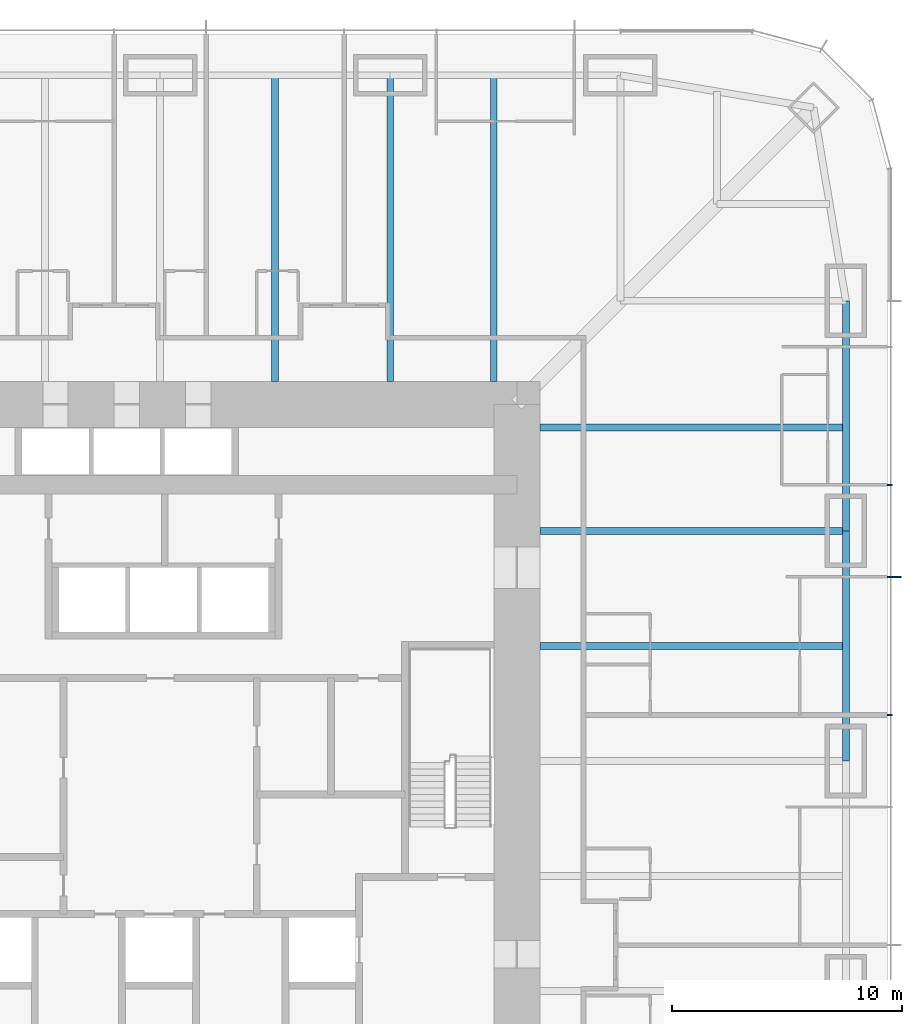
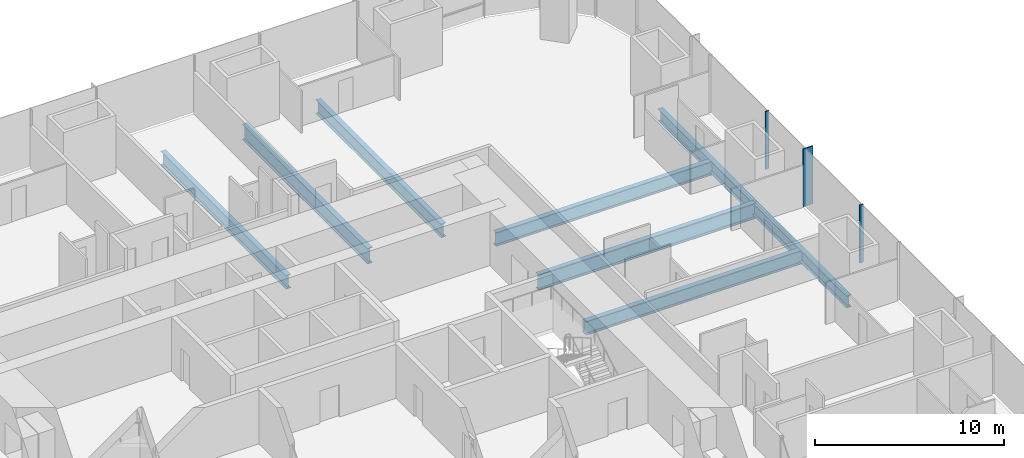
# One storey, part 8 of 17: 8 beams, 3 members, 1 element without a shape of its own.
"""IFC4 building model written with IfcOpenShell, lengths in metres."""

from ifc_helpers import new_model, si_unit, direction, frame, origin, origin_2d, place, context, subcontext, project, spatial, rectangle, i_section, extrude, material, material_profile, profile_set, type_object, element, aggregate, save


model = new_model("IFC4")

# Units and contexts
model_context = context("Model", 3, precision=1e-05, world=origin(), true_north=direction((0.0, 1.0)))
body_context = subcontext(model_context, "Body", "Model", "MODEL_VIEW")
ifc_project = project(units=[si_unit("LENGTHUNIT", "METRE"), si_unit("AREAUNIT", "SQUARE_METRE"), si_unit("VOLUMEUNIT", "CUBIC_METRE"), si_unit("PLANEANGLEUNIT", "RADIAN"), si_unit("MASSUNIT", "GRAM", prefix="KILO")], contexts=[model_context])

# Site, building, storey
site_placement = place(None, origin())
site = spatial("IfcSite", under=ifc_project, at=site_placement, CompositionType="ELEMENT")
building_placement = place(site_placement, origin())
building = spatial("IfcBuilding", under=site, at=building_placement, Name="Khuree Lantern Residences", CompositionType="ELEMENT")
storey_placement = place(building_placement, frame((0.0, 0.0, 47.25)))
storey = spatial("IfcBuildingStorey", under=building, at=storey_placement, Name="L11", CompositionType="ELEMENT", Elevation=47.25)

# Beams
ifc_material_1 = material(Name="Steel S355", Category="steel")
ifc_material_profile_1 = material_profile(ifc_material_1, i_section(OverallWidth=0.300048828125, OverallDepth=0.889892578125, WebThickness=0.01611328125, FlangeThickness=0.030029296875, FilletRadius=0.030029296875, at=origin_2d()), Name="HE 900 A")
ifc_profile_set_1 = profile_set([ifc_material_profile_1], Name="Steel S355")
beam_type_1 = type_object("IfcBeamType", Name="B-12 SECONDARY BEAM HE 900 A", PredefinedType="BEAM", material=ifc_profile_set_1)
for number, where, z_axis, x_axis, name in (
    (1, (5.0, 29.800048828125, -0.695068359375), (0.0, -1.0, 0.0), (1.0, 0.0, 0.0), "Secondary beam N3"),
    (2, (14.5, 29.800048828125, -0.695068359375), (0.0, -1.0, 0.0), (1.0, 0.0, 0.0), "Secondary beam N4"),
    (3, (29.800048828125, 14.5, -0.695068359375), (-1.0, 0.0, 0.0), (0.0, -1.0, 0.0), "Secondary beam E2"),
    (4, (29.800048828125, 5.0, -0.695068359375), (-1.0, 0.0, 0.0), (0.0, -1.0, 0.0), "Secondary beam E3"),
):
    element("IfcBeam", number, at=place(storey_placement, frame(where, z_axis=z_axis, x_axis=x_axis)), inside=storey, type_object=beam_type_1, Name=name, PredefinedType="BEAM", context=body_context, shape_type="SweptSolid", body=[
        extrude(i_section(OverallWidth=0.300048828125, OverallDepth=0.889892578125, WebThickness=0.01611328125, FlangeThickness=0.030029296875, FilletRadius=0.030029296875, at=origin_2d()), origin(), (0.0, 0.0, 1.0), 13.300048828125),
    ])
ifc_material_profile_2 = material_profile(ifc_material_1, i_section(OverallWidth=0.300048828125, OverallDepth=0.7900390625, WebThickness=0.014892578125, FlangeThickness=0.028076171875, FilletRadius=0.030029296875, at=origin_2d()), Name="HE 800 A")
ifc_profile_set_2 = profile_set([ifc_material_profile_2], Name="Steel S355")
beam_type_2 = type_object("IfcBeamType", Name="E-12 SPANDREL BEAM HE 800 A", PredefinedType="SPANDREL", material=ifc_profile_set_2)
for number, where, z_axis, x_axis, name in (
    (5, (29.800048828125, 20.0, -0.64501953125), (0.0, -1.0, 0.0), (1.0, 0.0, 0.0), "Spandrel beam E2"),
    (6, (29.800048828125, 10.0, -0.64501953125), (0.0, -1.0, 0.0), (1.0, 0.0, 0.0), "Spandrel beam E3"),
):
    element("IfcBeam", number, at=place(storey_placement, frame(where, z_axis=z_axis, x_axis=x_axis)), inside=storey, type_object=beam_type_2, Name=name, PredefinedType="SPANDREL", context=body_context, shape_type="SweptSolid", body=[
        extrude(i_section(OverallWidth=0.300048828125, OverallDepth=0.7900390625, WebThickness=0.014892578125, FlangeThickness=0.028076171875, FilletRadius=0.030029296875, at=origin_2d()), origin(), (0.0, 0.0, 1.0), 10.0),
    ])

# Curtain wall, member
ifc_material_2 = material(Name="Bronze anodised aluminium", Category="aluminium")
curtain_wall_type = type_object("IfcCurtainWallType", Name="CW-T1 TOWER FACE CURTAIN WALL", PredefinedType="USERDEFINED", material=ifc_material_2)
curtain_wall_placement = place(storey_placement, origin())
curtain_wall = element("IfcCurtainWall", 7, at=curtain_wall_placement, inside=storey, type_object=curtain_wall_type, Name="L11 EAST FACE CURTAIN WALL", ObjectType="Stick-built curtain wall", PredefinedType="USERDEFINED")
ifc_material_profile_3 = material_profile(ifc_material_2, rectangle(XDim=0.06494140625, YDim=0.60009765625, at=origin_2d()), Name="F1 65X600")
ifc_profile_set_3 = profile_set([ifc_material_profile_3], Name="Bronze anodised aluminium")
member_type_1 = type_object("IfcMemberType", Name="F1 BRONZE FIN MULLION TOWER 65X600", PredefinedType="MULLION", material=ifc_profile_set_3)
member_1_placement = place(storey_placement, frame((31.89990234375, 8.0, 0.0), z_axis=(0.0, 0.0, 1.0), x_axis=(0.0, 1.0, 0.0)))
member_1 = element("IfcMember", 8, at=member_1_placement, type_object=member_type_1, Name="L11 EAST FACE FIN MULLION 11", PredefinedType="MULLION", context=body_context, shape_type="SweptSolid", body=[
    extrude(rectangle(XDim=0.06494140625, YDim=0.60009765625, at=origin_2d()), origin(), (0.0, 0.0, 1.0), 3.75),
])

# Beams
ifc_material_profile_4 = material_profile(ifc_material_1, i_section(OverallWidth=0.302001953125, OverallDepth=1.008056640625, WebThickness=0.02099609375, FlangeThickness=0.0400390625, FilletRadius=0.030029296875, at=origin_2d()), Name="HE 1000 M")
ifc_profile_set_4 = profile_set([ifc_material_profile_4], Name="Steel S355")
beam_type_3 = type_object("IfcBeamType", Name="G-12 GIRDER HE 1000 M", PredefinedType="BEAM", material=ifc_profile_set_4)
for number, where, z_axis, x_axis, name in (
    (9, (10.0, 29.800048828125, -0.75390625), (0.0, -1.0, 0.0), (1.0, 0.0, 0.0), "Girder N4"),
    (10, (29.800048828125, 10.0, -0.75390625), (-1.0, 0.0, 0.0), (0.0, -1.0, 0.0), "Girder E2"),
):
    element("IfcBeam", number, at=place(storey_placement, frame(where, z_axis=z_axis, x_axis=x_axis)), inside=storey, type_object=beam_type_3, Name=name, PredefinedType="BEAM", context=body_context, shape_type="SweptSolid", body=[
        extrude(i_section(OverallWidth=0.302001953125, OverallDepth=1.008056640625, WebThickness=0.02099609375, FlangeThickness=0.0400390625, FilletRadius=0.030029296875, at=origin_2d()), origin(), (0.0, 0.0, 1.0), 13.300048828125),
    ])

# Member
ifc_material_profile_5 = material_profile(ifc_material_2, rectangle(XDim=0.06494140625, YDim=0.219970703125, at=origin_2d()), Name="M1 65X220")
ifc_profile_set_5 = profile_set([ifc_material_profile_5], Name="Bronze anodised aluminium")
member_type_2 = type_object("IfcMemberType", Name="M1 BRONZE MULLION TOWER 65X220", PredefinedType="MULLION", material=ifc_profile_set_5)
member_2_placement = place(storey_placement, frame((31.7099609375, 2.0, 0.0), z_axis=(0.0, 0.0, 1.0), x_axis=(0.0, 1.0, 0.0)))
member_2 = element("IfcMember", 11, at=member_2_placement, type_object=member_type_2, Name="L11 EAST FACE MULLION 10", PredefinedType="MULLION", context=body_context, shape_type="SweptSolid", body=[
    extrude(rectangle(XDim=0.06494140625, YDim=0.219970703125, at=origin_2d()), origin(), (0.0, 0.0, 1.0), 3.75),
])

member_3_placement = place(storey_placement, frame((31.7099609375, 12.0, 0.0), z_axis=(0.0, 0.0, 1.0), x_axis=(0.0, 1.0, 0.0)))
member_3 = element("IfcMember", 12, at=member_3_placement, type_object=member_type_2, Name="L11 EAST FACE MULLION 12", PredefinedType="MULLION", context=body_context, shape_type="SweptSolid", body=[
    extrude(rectangle(XDim=0.06494140625, YDim=0.219970703125, at=origin_2d()), origin(), (0.0, 0.0, 1.0), 3.75),
])

aggregate(curtain_wall, [member_2, member_1, member_3])

save(model, "model.ifc")
